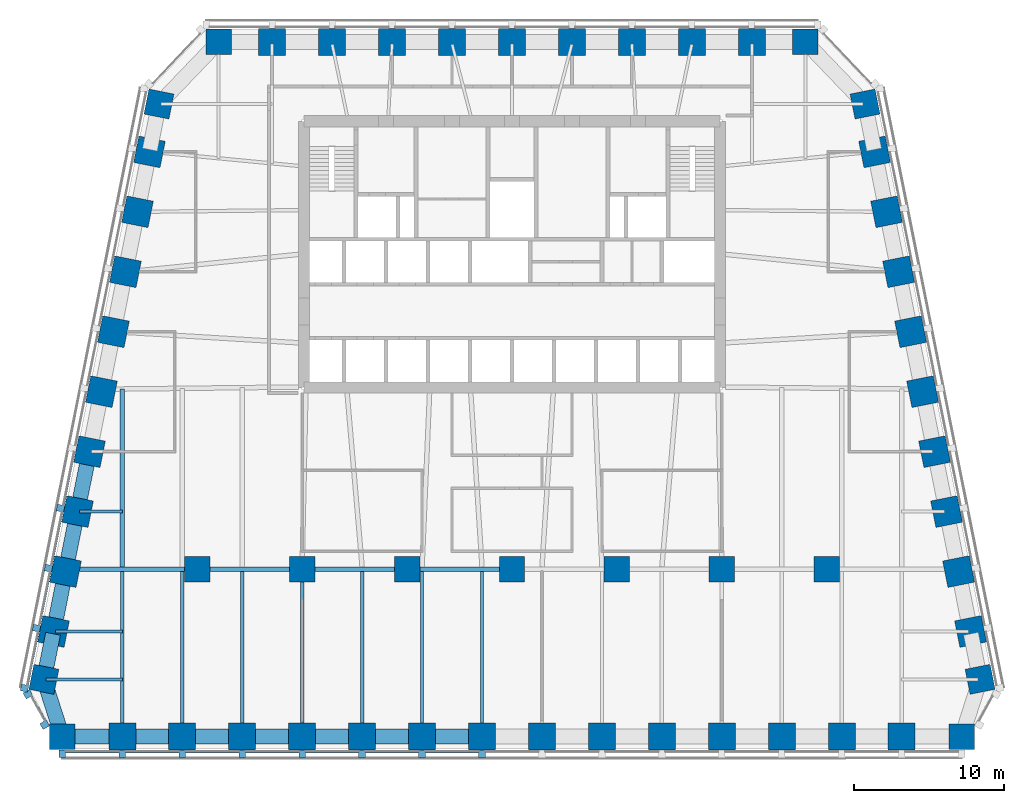
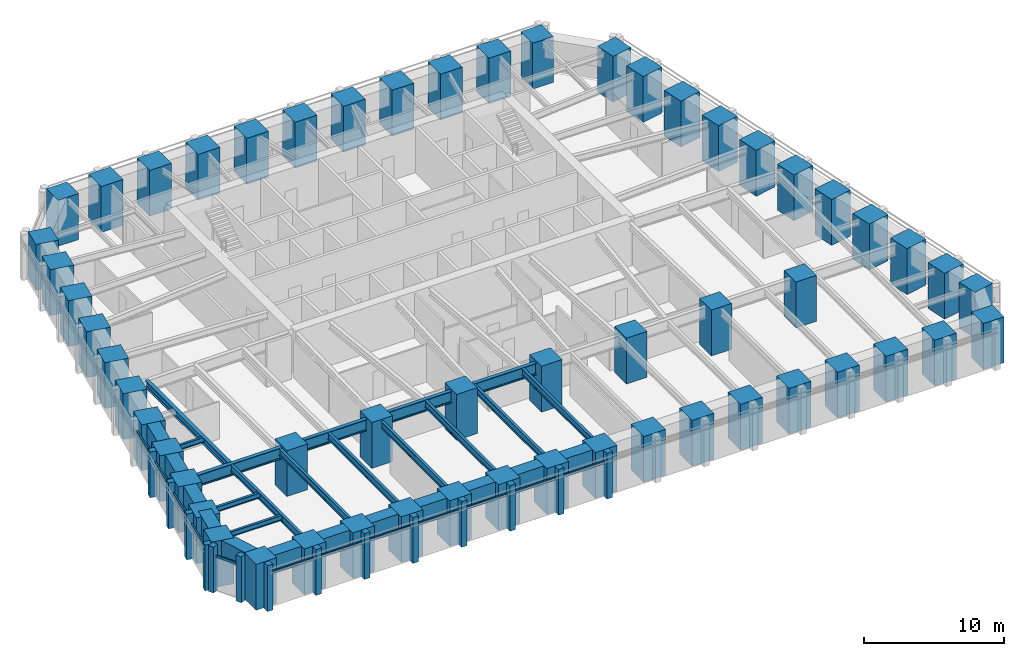
# One storey, part 1 of 10: 56 columns, 27 beams, 26 members, 3 elements without a shape of their own.
"""IFC4 building model written with IfcOpenShell, lengths in metres."""

from ifc_helpers import new_model, si_unit, direction, frame, origin, origin_2d, place, context, subcontext, project, spatial, rectangle, i_section, extrude, material, material_profile, profile_set, type_object, element, aggregate, save


model = new_model("IFC4")

# Units and contexts
model_context = context("Model", 3, precision=1e-05, world=origin(), true_north=direction((0.0, 1.0)))
body_context = subcontext(model_context, "Body", "Model", "MODEL_VIEW")
ifc_project = project(units=[si_unit("LENGTHUNIT", "METRE"), si_unit("AREAUNIT", "SQUARE_METRE"), si_unit("VOLUMEUNIT", "CUBIC_METRE"), si_unit("PLANEANGLEUNIT", "RADIAN"), si_unit("MASSUNIT", "GRAM", prefix="KILO")], contexts=[model_context])

# Site, building, storey
site_placement = place(None, origin())
site = spatial("IfcSite", under=ifc_project, at=site_placement, CompositionType="ELEMENT")
building_placement = place(site_placement, origin())
building = spatial("IfcBuilding", under=site, at=building_placement, Name="Isbrekke Arena Tower", CompositionType="ELEMENT")
storey_placement = place(building_placement, frame((0.0, 0.0, 139.0)))
storey = spatial("IfcBuildingStorey", under=building, at=storey_placement, Name="L31", CompositionType="ELEMENT", Elevation=139.0)

# Columns
ifc_material_1 = material(Name="Concrete B80 (C80/95)", Category="concrete")
ifc_material_profile_1 = material_profile(ifc_material_1, rectangle(XDim=1.699951171875, YDim=1.699951171875, at=origin_2d()), Name="RC 1700x1700")
ifc_profile_set_1 = profile_set([ifc_material_profile_1], Name="Concrete B80 (C80/95)")
column_type_1 = type_object("IfcColumnType", Name="C12 RC 1700 x 1700", PredefinedType="COLUMN", material=ifc_profile_set_1)
for number, where, z_axis, x_axis, name in (
    (1, (-21.0, -6.0, 0.0), (0.0, 0.0, 1.0), (1.0, 0.0, 0.0), "C12 I01"),
    (2, (-14.0, -6.0, 0.0), (0.0, 0.0, 1.0), (1.0, 0.0, 0.0), "C12 I02"),
    (3, (-7.0, -6.0, 0.0), (0.0, 0.0, 1.0), (1.0, 0.0, 0.0), "C12 I03"),
    (4, (0.0, -6.0, 0.0), (0.0, 0.0, 1.0), (1.0, 0.0, 0.0), "C12 I04"),
    (5, (7.0, -6.0, 0.0), (0.0, 0.0, 1.0), (1.0, 0.0, 0.0), "C12 I05"),
    (6, (14.0, -6.0, 0.0), (0.0, 0.0, 1.0), (1.0, 0.0, 0.0), "C12 I06"),
    (7, (21.0, -6.0, 0.0), (0.0, 0.0, 1.0), (1.0, 0.0, 0.0), "C12 I07"),
):
    element("IfcColumn", number, at=place(storey_placement, frame(where, z_axis=z_axis, x_axis=x_axis)), inside=storey, type_object=column_type_1, Name=name, PredefinedType="COLUMN", context=body_context, shape_type="SweptSolid", body=[
        extrude(rectangle(XDim=1.699951171875, YDim=1.699951171875, at=origin_2d()), origin(), (0.0, 0.0, 1.0), 4.0),
    ])
ifc_material_2 = material(Name="Concrete B80 (C80/95)", Category="concrete")
ifc_material_profile_2 = material_profile(ifc_material_2, rectangle(XDim=1.800048828125, YDim=1.800048828125, at=origin_2d()), Name="RC 1800x1800")
ifc_profile_set_2 = profile_set([ifc_material_profile_2], Name="Concrete B80 (C80/95)")
column_type_2 = type_object("IfcColumnType", Name="C3 RC 1800 x 1800", PredefinedType="COLUMN", material=ifc_profile_set_2)
for number, where, z_axis, x_axis, name in (
    (8, (-26.0, -17.175048828125, 0.0), (0.0, 0.0, 1.0), (1.0, 0.0, 0.0), "C3 S02"),
    (9, (-22.0, -17.175048828125, 0.0), (0.0, 0.0, 1.0), (1.0, 0.0, 0.0), "C3 S03"),
    (10, (-18.0, -17.175048828125, 0.0), (0.0, 0.0, 1.0), (1.0, 0.0, 0.0), "C3 S04"),
    (11, (-14.0, -17.175048828125, 0.0), (0.0, 0.0, 1.0), (1.0, 0.0, 0.0), "C3 S05"),
    (12, (-10.0, -17.175048828125, 0.0), (0.0, 0.0, 1.0), (1.0, 0.0, 0.0), "C3 S06"),
    (13, (-6.0, -17.175048828125, 0.0), (0.0, 0.0, 1.0), (1.0, 0.0, 0.0), "C3 S07"),
    (14, (-2.0, -17.175048828125, 0.0), (0.0, 0.0, 1.0), (1.0, 0.0, 0.0), "C3 S08"),
    (15, (2.0, -17.175048828125, 0.0), (0.0, 0.0, 1.0), (1.0, 0.0, 0.0), "C3 S09"),
    (16, (6.0, -17.175048828125, 0.0), (0.0, 0.0, 1.0), (1.0, 0.0, 0.0), "C3 S10"),
    (17, (10.0, -17.175048828125, 0.0), (0.0, 0.0, 1.0), (1.0, 0.0, 0.0), "C3 S11"),
    (18, (14.0, -17.175048828125, 0.0), (0.0, 0.0, 1.0), (1.0, 0.0, 0.0), "C3 S12"),
    (19, (18.0, -17.175048828125, 0.0), (0.0, 0.0, 1.0), (1.0, 0.0, 0.0), "C3 S13"),
    (20, (22.0, -17.175048828125, 0.0), (0.0, 0.0, 1.0), (1.0, 0.0, 0.0), "C3 S14"),
    (21, (26.0, -17.175048828125, 0.0), (0.0, 0.0, 1.0), (1.0, 0.0, 0.0), "C3 S15"),
    (22, (30.591064453125, -10.161865234375, 0.0), (0.0, 0.0, 1.0), (-0.196116135138, 0.980580675691, 0.0), "C3 E02"),
    (23, (29.791015625, -6.161865234375, 0.0), (0.0, 0.0, 1.0), (-0.196116135138, 0.980580675691, 0.0), "C3 E03"),
    (24, (28.990966796875, -2.161865234375, 0.0), (0.0, 0.0, 1.0), (-0.196116135138, 0.980580675691, 0.0), "C3 E04"),
    (25, (28.19091796875, 1.838134765625, 0.0), (0.0, 0.0, 1.0), (-0.196116135138, 0.980580675691, 0.0), "C3 E05"),
    (26, (27.39111328125, 5.838134765625, 0.0), (0.0, 0.0, 1.0), (-0.196116135138, 0.980580675691, 0.0), "C3 E06"),
    (27, (26.591064453125, 9.838134765625, 0.0), (0.0, 0.0, 1.0), (-0.196116135138, 0.980580675691, 0.0), "C3 E07"),
    (28, (25.791015625, 13.838134765625, 0.0), (0.0, 0.0, 1.0), (-0.196116135138, 0.980580675691, 0.0), "C3 E08"),
    (29, (24.990966796875, 17.838134765625, 0.0), (0.0, 0.0, 1.0), (-0.196116135138, 0.980580675691, 0.0), "C3 E09"),
    (30, (24.19091796875, 21.838134765625, 0.0), (0.0, 0.0, 1.0), (-0.196116135138, 0.980580675691, 0.0), "C3 E10"),
    (31, (16.0, 29.175048828125, 0.0), (0.0, 0.0, 1.0), (-1.0, 0.0, 0.0), "C3 N02"),
    (32, (12.0, 29.175048828125, 0.0), (0.0, 0.0, 1.0), (-1.0, 0.0, 0.0), "C3 N03"),
    (33, (8.0, 29.175048828125, 0.0), (0.0, 0.0, 1.0), (-1.0, 0.0, 0.0), "C3 N04"),
    (34, (4.0, 29.175048828125, 0.0), (0.0, 0.0, 1.0), (-1.0, 0.0, 0.0), "C3 N05"),
    (35, (0.0, 29.175048828125, 0.0), (0.0, 0.0, 1.0), (-1.0, 0.0, 0.0), "C3 N06"),
    (36, (-4.0, 29.175048828125, 0.0), (0.0, 0.0, 1.0), (-1.0, 0.0, 0.0), "C3 N07"),
    (37, (-8.0, 29.175048828125, 0.0), (0.0, 0.0, 1.0), (-1.0, 0.0, 0.0), "C3 N08"),
    (38, (-12.0, 29.175048828125, 0.0), (0.0, 0.0, 1.0), (-1.0, 0.0, 0.0), "C3 N09"),
    (39, (-16.0, 29.175048828125, 0.0), (0.0, 0.0, 1.0), (-1.0, 0.0, 0.0), "C3 N10"),
    (40, (-24.19091796875, 21.838134765625, 0.0), (0.0, 0.0, 1.0), (-0.196116135138, -0.980580675691, 0.0), "C3 W02"),
    (41, (-24.990966796875, 17.838134765625, 0.0), (0.0, 0.0, 1.0), (-0.196116135138, -0.980580675691, 0.0), "C3 W03"),
    (42, (-25.791015625, 13.838134765625, 0.0), (0.0, 0.0, 1.0), (-0.196116135138, -0.980580675691, 0.0), "C3 W04"),
    (43, (-26.591064453125, 9.838134765625, 0.0), (0.0, 0.0, 1.0), (-0.196116135138, -0.980580675691, 0.0), "C3 W05"),
    (44, (-27.39111328125, 5.838134765625, 0.0), (0.0, 0.0, 1.0), (-0.196116135138, -0.980580675691, 0.0), "C3 W06"),
    (45, (-28.19091796875, 1.838134765625, 0.0), (0.0, 0.0, 1.0), (-0.196116135138, -0.980580675691, 0.0), "C3 W07"),
    (46, (-28.990966796875, -2.161865234375, 0.0), (0.0, 0.0, 1.0), (-0.196116135138, -0.980580675691, 0.0), "C3 W08"),
    (47, (-29.791015625, -6.161865234375, 0.0), (0.0, 0.0, 1.0), (-0.196116135138, -0.980580675691, 0.0), "C3 W09"),
    (48, (-30.591064453125, -10.161865234375, 0.0), (0.0, 0.0, 1.0), (-0.196116135138, -0.980580675691, 0.0), "C3 W10"),
):
    element("IfcColumn", number, at=place(storey_placement, frame(where, z_axis=z_axis, x_axis=x_axis)), inside=storey, type_object=column_type_2, Name=name, PredefinedType="COLUMN", context=body_context, shape_type="SweptSolid", body=[
        extrude(rectangle(XDim=1.800048828125, YDim=1.800048828125, at=origin_2d()), origin(), (0.0, 0.0, 1.0), 4.0),
    ])
ifc_material_3 = material(Name="Concrete B80 (C80/95)", Category="concrete")
ifc_material_profile_3 = material_profile(ifc_material_3, rectangle(XDim=1.699951171875, YDim=1.699951171875, at=origin_2d()), Name="RC 1700x1700")
ifc_profile_set_3 = profile_set([ifc_material_profile_3], Name="Concrete B80 (C80/95)")
column_type_3 = type_object("IfcColumnType", Name="C7 RC 1700 x 1700", PredefinedType="COLUMN", material=ifc_profile_set_3)
for number, where, z_axis, x_axis, name in (
    (49, (-30.0, -17.175048828125, 0.0), (0.0, 0.0, 1.0), (1.0, 0.0, 0.0), "C7 S01"),
    (50, (30.0, -17.175048828125, 0.0), (0.0, 0.0, 1.0), (1.0, 0.0, 0.0), "C7 S16"),
    (51, (31.229248046875, -13.352783203125, 0.0), (0.0, 0.0, 1.0), (-0.196116135138, 0.980580675691, 0.0), "C7 E01"),
    (52, (23.552734375, 25.029296875, 0.0), (0.0, 0.0, 1.0), (-0.196116135138, 0.980580675691, 0.0), "C7 E11"),
    (53, (19.574951171875, 29.175048828125, 0.0), (0.0, 0.0, 1.0), (-1.0, 0.0, 0.0), "C7 N01"),
    (54, (-19.574951171875, 29.175048828125, 0.0), (0.0, 0.0, 1.0), (-1.0, 0.0, 0.0), "C7 N11"),
    (55, (-23.552734375, 25.029296875, 0.0), (0.0, 0.0, 1.0), (-0.196116135138, -0.980580675691, 0.0), "C7 W01"),
    (56, (-31.229248046875, -13.352783203125, 0.0), (0.0, 0.0, 1.0), (-0.196116135138, -0.980580675691, 0.0), "C7 W11"),
):
    element("IfcColumn", number, at=place(storey_placement, frame(where, z_axis=z_axis, x_axis=x_axis)), inside=storey, type_object=column_type_3, Name=name, PredefinedType="COLUMN", context=body_context, shape_type="SweptSolid", body=[
        extrude(rectangle(XDim=1.699951171875, YDim=1.699951171875, at=origin_2d()), origin(), (0.0, 0.0, 1.0), 4.0),
    ])

# Beams
ifc_material_4 = material(Name="Steel S355", Category="steel")
ifc_material_profile_4 = material_profile(ifc_material_4, i_section(OverallWidth=0.219970703125, OverallDepth=0.60009765625, WebThickness=0.011962890625, FlangeThickness=0.01904296875, FilletRadius=0.02392578125, at=origin_2d()), Name="IPE 600")
ifc_profile_set_4 = profile_set([ifc_material_profile_4], Name="Steel S355")
beam_type_1 = type_object("IfcBeamType", Name="B1 IPE 600", PredefinedType="BEAM", material=ifc_profile_set_4)
for number, where, z_axis, x_axis, name in (
    (57, (-26.0, -17.02490234375, 3.550048828125), (0.0, 1.0, 0.0), (-1.0, 0.0, 0.0), "B1 beam S-S02 L31"),
    (58, (-22.0, -17.02490234375, 3.550048828125), (0.0, 1.0, 0.0), (-1.0, 0.0, 0.0), "B1 beam S-S03 L31"),
    (59, (-18.0, -17.02490234375, 3.550048828125), (0.0, 1.0, 0.0), (-1.0, 0.0, 0.0), "B1 beam S-S04 L31"),
):
    element("IfcBeam", number, at=place(storey_placement, frame(where, z_axis=z_axis, x_axis=x_axis)), inside=storey, type_object=beam_type_1, Name=name, PredefinedType="BEAM", context=body_context, shape_type="SweptSolid", body=[
        extrude(i_section(OverallWidth=0.219970703125, OverallDepth=0.60009765625, WebThickness=0.011962890625, FlangeThickness=0.01904296875, FilletRadius=0.02392578125, at=origin_2d()), origin(), (0.0, 0.0, 1.0), 10.8740234375),
    ])
beam_1_placement = place(storey_placement, frame((-14.0, -17.02490234375, 3.550048828125), z_axis=(0.0, 1.0, 0.0), x_axis=(-1.0, 0.0, 0.0)))
element("IfcBeam", 60, at=beam_1_placement, inside=storey, type_object=beam_type_1, Name="B1 beam S-S05 L31", PredefinedType="BEAM", context=body_context, shape_type="SweptSolid", body=[
    extrude(i_section(OverallWidth=0.219970703125, OverallDepth=0.60009765625, WebThickness=0.011962890625, FlangeThickness=0.01904296875, FilletRadius=0.02392578125, at=origin_2d()), origin(), (0.0, 0.0, 1.0), 10.875),
])
for number, where, z_axis, x_axis, name in (
    (61, (-10.0, -17.02490234375, 3.550048828125), (0.0, 1.0, 0.0), (-1.0, 0.0, 0.0), "B1 beam S-S06 L31"),
    (62, (-6.0, -17.02490234375, 3.550048828125), (0.0, 1.0, 0.0), (-1.0, 0.0, 0.0), "B1 beam S-S07 L31"),
    (63, (-2.0, -17.02490234375, 3.550048828125), (0.0, 1.0, 0.0), (-1.0, 0.0, 0.0), "B1 beam S-S08 L31"),
):
    element("IfcBeam", number, at=place(storey_placement, frame(where, z_axis=z_axis, x_axis=x_axis)), inside=storey, type_object=beam_type_1, Name=name, PredefinedType="BEAM", context=body_context, shape_type="SweptSolid", body=[
        extrude(i_section(OverallWidth=0.219970703125, OverallDepth=0.60009765625, WebThickness=0.011962890625, FlangeThickness=0.01904296875, FilletRadius=0.02392578125, at=origin_2d()), origin(), (0.0, 0.0, 1.0), 10.8740234375),
    ])
ifc_material_5 = material(Name="Steel S355", Category="steel")
ifc_material_profile_5 = material_profile(ifc_material_5, i_section(OverallWidth=0.18994140625, OverallDepth=0.449951171875, WebThickness=0.009521484375, FlangeThickness=0.0146484375, FilletRadius=0.02099609375, at=origin_2d()), Name="IPE 450")
ifc_profile_set_5 = profile_set([ifc_material_profile_5], Name="Steel S355")
beam_type_2 = type_object("IfcBeamType", Name="B2 IPE 450", PredefinedType="BEAM", material=ifc_profile_set_5)
beam_2_placement = place(storey_placement, frame((-28.841064453125, -2.161865234375, 3.625), z_axis=(1.0, 0.0, 0.0), x_axis=(0.0, 1.0, 0.0)))
element("IfcBeam", 64, at=beam_2_placement, inside=storey, type_object=beam_type_2, Name="B2 beam E-W08 L31", PredefinedType="BEAM", context=body_context, shape_type="SweptSolid", body=[
    extrude(i_section(OverallWidth=0.18994140625, OverallDepth=0.449951171875, WebThickness=0.009521484375, FlangeThickness=0.0146484375, FilletRadius=0.02099609375, at=origin_2d()), origin(), (0.0, 0.0, 1.0), 2.841064453125),
])
beam_3_placement = place(storey_placement, frame((-30.44091796875, -10.161865234375, 3.625), z_axis=(1.0, 0.0, 0.0), x_axis=(0.0, 1.0, 0.0)))
element("IfcBeam", 65, at=beam_3_placement, inside=storey, type_object=beam_type_2, Name="B2 beam E-W10 L31", PredefinedType="BEAM", context=body_context, shape_type="SweptSolid", body=[
    extrude(i_section(OverallWidth=0.18994140625, OverallDepth=0.449951171875, WebThickness=0.009521484375, FlangeThickness=0.0146484375, FilletRadius=0.02099609375, at=origin_2d()), origin(), (0.0, 0.0, 1.0), 4.44091796875),
])
beam_4_placement = place(storey_placement, frame((-31.079345703125, -13.352783203125, 3.625), z_axis=(1.0, 0.0, 0.0), x_axis=(0.0, 1.0, 0.0)))
element("IfcBeam", 66, at=beam_4_placement, inside=storey, type_object=beam_type_2, Name="B2 beam E-W11 L31", PredefinedType="BEAM", context=body_context, shape_type="SweptSolid", body=[
    extrude(i_section(OverallWidth=0.18994140625, OverallDepth=0.449951171875, WebThickness=0.009521484375, FlangeThickness=0.0146484375, FilletRadius=0.02099609375, at=origin_2d()), origin(), (0.0, 0.0, 1.0), 5.079345703125),
])
ifc_material_6 = material(Name="Steel S355", Category="steel")
ifc_material_profile_6 = material_profile(ifc_material_6, i_section(OverallWidth=0.300048828125, OverallDepth=0.60009765625, WebThickness=0.015380859375, FlangeThickness=0.030029296875, FilletRadius=0.027099609375, at=origin_2d()), Name="HEB 600")
ifc_profile_set_6 = profile_set([ifc_material_profile_6], Name="Steel S355")
beam_type_3 = type_object("IfcBeamType", Name="B7 HEB 600", PredefinedType="BEAM", material=ifc_profile_set_6)
beam_5_placement = place(storey_placement, frame((-26.0, -5.84912109375, 3.550048828125), z_axis=(0.0, 1.0, 0.0), x_axis=(-1.0, 0.0, 0.0)))
element("IfcBeam", 67, at=beam_5_placement, inside=storey, type_object=beam_type_3, Name="B7 beam C-M01 L31", PredefinedType="BEAM", context=body_context, shape_type="SweptSolid", body=[
    extrude(i_section(OverallWidth=0.300048828125, OverallDepth=0.60009765625, WebThickness=0.015380859375, FlangeThickness=0.030029296875, FilletRadius=0.027099609375, at=origin_2d()), origin(), (0.0, 0.0, 1.0), 11.864990234375),
])

# Curtain wall, members
ifc_material_7 = material(Name="Glazed aluminium curtain wall", Category="aluminium")
curtain_wall_type = type_object("IfcCurtainWallType", Name="CWM TOWER CURTAIN WALL MID ZONE", PredefinedType="USERDEFINED", material=ifc_material_7)
curtain_wall_1_placement = place(storey_placement, origin())
curtain_wall_1 = element("IfcCurtainWall", 68, at=curtain_wall_1_placement, inside=storey, type_object=curtain_wall_type, Name="CWM curtain wall L31-S", ObjectType="TOWER CURTAIN WALL MID ZONE", PredefinedType="USERDEFINED")
ifc_material_8 = material(Name="Aluminium mullion, pale brick slip cladding", Category="masonry")
ifc_material_profile_7 = material_profile(ifc_material_8, rectangle(XDim=0.449951171875, YDim=0.5, at=origin_2d()), Name="PIER 450X500")
ifc_profile_set_7 = profile_set([ifc_material_profile_7], Name="Aluminium mullion, pale brick slip cladding")
member_type_1 = type_object("IfcMemberType", Name="CWM-M PIER MULLION 450 x 500", PredefinedType="MULLION", material=ifc_profile_set_7)
member_1_placement = place(storey_placement, frame((-30.0, -18.324951171875, 0.0), z_axis=(0.0, 0.0, 1.0), x_axis=(1.0, 0.0, 0.0)))
member_1 = element("IfcMember", 69, at=member_1_placement, type_object=member_type_1, Name="CWM-M mullion 1", PredefinedType="MULLION", context=body_context, shape_type="SweptSolid", body=[
    extrude(rectangle(XDim=0.449951171875, YDim=0.5, at=origin_2d()), origin(), (0.0, 0.0, 1.0), 4.0),
])
member_2_placement = place(storey_placement, frame((-26.0, -18.324951171875, 0.0), z_axis=(0.0, 0.0, 1.0), x_axis=(1.0, 0.0, 0.0)))
member_2 = element("IfcMember", 70, at=member_2_placement, type_object=member_type_1, Name="CWM-M mullion 2", PredefinedType="MULLION", context=body_context, shape_type="SweptSolid", body=[
    extrude(rectangle(XDim=0.449951171875, YDim=0.5, at=origin_2d()), origin(), (0.0, 0.0, 1.0), 4.0),
])
member_3_placement = place(storey_placement, frame((-22.0, -18.324951171875, 0.0), z_axis=(0.0, 0.0, 1.0), x_axis=(1.0, 0.0, 0.0)))
member_3 = element("IfcMember", 71, at=member_3_placement, type_object=member_type_1, Name="CWM-M mullion 3", PredefinedType="MULLION", context=body_context, shape_type="SweptSolid", body=[
    extrude(rectangle(XDim=0.449951171875, YDim=0.5, at=origin_2d()), origin(), (0.0, 0.0, 1.0), 4.0),
])
member_4_placement = place(storey_placement, frame((-18.0, -18.324951171875, 0.0), z_axis=(0.0, 0.0, 1.0), x_axis=(1.0, 0.0, 0.0)))
member_4 = element("IfcMember", 72, at=member_4_placement, type_object=member_type_1, Name="CWM-M mullion 4", PredefinedType="MULLION", context=body_context, shape_type="SweptSolid", body=[
    extrude(rectangle(XDim=0.449951171875, YDim=0.5, at=origin_2d()), origin(), (0.0, 0.0, 1.0), 4.0),
])
member_5_placement = place(storey_placement, frame((-14.0, -18.324951171875, 0.0), z_axis=(0.0, 0.0, 1.0), x_axis=(1.0, 0.0, 0.0)))
member_5 = element("IfcMember", 73, at=member_5_placement, type_object=member_type_1, Name="CWM-M mullion 5", PredefinedType="MULLION", context=body_context, shape_type="SweptSolid", body=[
    extrude(rectangle(XDim=0.449951171875, YDim=0.5, at=origin_2d()), origin(), (0.0, 0.0, 1.0), 4.0),
])
member_6_placement = place(storey_placement, frame((-10.0, -18.324951171875, 0.0), z_axis=(0.0, 0.0, 1.0), x_axis=(1.0, 0.0, 0.0)))
member_6 = element("IfcMember", 74, at=member_6_placement, type_object=member_type_1, Name="CWM-M mullion 6", PredefinedType="MULLION", context=body_context, shape_type="SweptSolid", body=[
    extrude(rectangle(XDim=0.449951171875, YDim=0.5, at=origin_2d()), origin(), (0.0, 0.0, 1.0), 4.0),
])
member_7_placement = place(storey_placement, frame((-6.0, -18.324951171875, 0.0), z_axis=(0.0, 0.0, 1.0), x_axis=(1.0, 0.0, 0.0)))
member_7 = element("IfcMember", 75, at=member_7_placement, type_object=member_type_1, Name="CWM-M mullion 7", PredefinedType="MULLION", context=body_context, shape_type="SweptSolid", body=[
    extrude(rectangle(XDim=0.449951171875, YDim=0.5, at=origin_2d()), origin(), (0.0, 0.0, 1.0), 4.0),
])
member_8_placement = place(storey_placement, frame((-2.0, -18.324951171875, 0.0), z_axis=(0.0, 0.0, 1.0), x_axis=(1.0, 0.0, 0.0)))
member_8 = element("IfcMember", 76, at=member_8_placement, type_object=member_type_1, Name="CWM-M mullion 8", PredefinedType="MULLION", context=body_context, shape_type="SweptSolid", body=[
    extrude(rectangle(XDim=0.449951171875, YDim=0.5, at=origin_2d()), origin(), (0.0, 0.0, 1.0), 4.0),
])

curtain_wall_2_placement = place(storey_placement, origin())
curtain_wall_2 = element("IfcCurtainWall", 77, at=curtain_wall_2_placement, inside=storey, type_object=curtain_wall_type, Name="CWM curtain wall L31-W", ObjectType="TOWER CURTAIN WALL MID ZONE", PredefinedType="USERDEFINED")
member_9_placement = place(storey_placement, frame((-30.11865234375, -1.936279296875, 0.0), z_axis=(0.0, 0.0, 1.0), x_axis=(-0.196116135138, -0.980580675691, 0.0)))
member_9 = element("IfcMember", 78, at=member_9_placement, type_object=member_type_1, Name="CWM-M mullion 8", PredefinedType="MULLION", context=body_context, shape_type="SweptSolid", body=[
    extrude(rectangle(XDim=0.449951171875, YDim=0.5, at=origin_2d()), origin(), (0.0, 0.0, 1.0), 4.0),
])
member_10_placement = place(storey_placement, frame((-30.918701171875, -5.936279296875, 0.0), z_axis=(0.0, 0.0, 1.0), x_axis=(-0.196116135138, -0.980580675691, 0.0)))
member_10 = element("IfcMember", 79, at=member_10_placement, type_object=member_type_1, Name="CWM-M mullion 9", PredefinedType="MULLION", context=body_context, shape_type="SweptSolid", body=[
    extrude(rectangle(XDim=0.449951171875, YDim=0.5, at=origin_2d()), origin(), (0.0, 0.0, 1.0), 4.0),
])
member_11_placement = place(storey_placement, frame((-31.71875, -9.936279296875, 0.0), z_axis=(0.0, 0.0, 1.0), x_axis=(-0.196116135138, -0.980580675691, 0.0)))
member_11 = element("IfcMember", 80, at=member_11_placement, type_object=member_type_1, Name="CWM-M mullion 10", PredefinedType="MULLION", context=body_context, shape_type="SweptSolid", body=[
    extrude(rectangle(XDim=0.449951171875, YDim=0.5, at=origin_2d()), origin(), (0.0, 0.0, 1.0), 4.0),
])
member_12_placement = place(storey_placement, frame((-32.518798828125, -13.936279296875, 0.0), z_axis=(0.0, 0.0, 1.0), x_axis=(-0.196116135138, -0.980580675691, 0.0)))
member_12 = element("IfcMember", 81, at=member_12_placement, type_object=member_type_1, Name="CWM-M mullion 11", PredefinedType="MULLION", context=body_context, shape_type="SweptSolid", body=[
    extrude(rectangle(XDim=0.449951171875, YDim=0.5, at=origin_2d()), origin(), (0.0, 0.0, 1.0), 4.0),
])

curtain_wall_3_placement = place(storey_placement, origin())
curtain_wall_3 = element("IfcCurtainWall", 82, at=curtain_wall_3_placement, inside=storey, type_object=curtain_wall_type, Name="CWM curtain wall L31-WS", ObjectType="TOWER CURTAIN WALL MID ZONE", PredefinedType="USERDEFINED")
member_13_placement = place(storey_placement, frame((-32.29638671875, -14.34326171875, 0.0), z_axis=(0.0, 0.0, 1.0), x_axis=(0.481918749773, -0.876215908676, 0.0)))
member_13 = element("IfcMember", 83, at=member_13_placement, type_object=member_type_1, Name="CWM-M mullion 1", PredefinedType="MULLION", context=body_context, shape_type="SweptSolid", body=[
    extrude(rectangle(XDim=0.449951171875, YDim=0.5, at=origin_2d()), origin(), (0.0, 0.0, 1.0), 4.0),
])
member_14_placement = place(storey_placement, frame((-31.174560546875, -16.38330078125, 0.0), z_axis=(0.0, 0.0, 1.0), x_axis=(0.481918749773, -0.876215908676, 0.0)))
member_14 = element("IfcMember", 84, at=member_14_placement, type_object=member_type_1, Name="CWM-M mullion 2", PredefinedType="MULLION", context=body_context, shape_type="SweptSolid", body=[
    extrude(rectangle(XDim=0.449951171875, YDim=0.5, at=origin_2d()), origin(), (0.0, 0.0, 1.0), 4.0),
])

# Member
ifc_material_9 = material(Name="Aluminium transom", Category="aluminium")
ifc_material_profile_8 = material_profile(ifc_material_9, rectangle(XDim=0.1201171875, YDim=0.199951171875, at=origin_2d()), Name="TRANSOM 120X200")
ifc_profile_set_8 = profile_set([ifc_material_profile_8], Name="Aluminium transom")
member_type_2 = type_object("IfcMemberType", Name="CWM-T TRANSOM 120 x 200", PredefinedType="USERDEFINED", material=ifc_profile_set_8)
member_15_placement = place(storey_placement, frame((-29.77490234375, -18.175048828125, 3.0), z_axis=(1.0, 0.0, 0.0), x_axis=(0.0, 1.0, 0.0)))
member_15 = element("IfcMember", 85, at=member_15_placement, type_object=member_type_2, Name="CWM-T transom 1", ObjectType="TRANSOM", PredefinedType="USERDEFINED", context=body_context, shape_type="SweptSolid", body=[
    extrude(rectangle(XDim=0.1201171875, YDim=0.199951171875, at=origin_2d()), origin(), (0.0, 0.0, 1.0), 3.5498046875),
])

member_16_placement = place(storey_placement, frame((-25.77490234375, -18.175048828125, 3.0), z_axis=(1.0, 0.0, 0.0), x_axis=(0.0, 1.0, 0.0)))
member_16 = element("IfcMember", 86, at=member_16_placement, type_object=member_type_2, Name="CWM-T transom 2", ObjectType="TRANSOM", PredefinedType="USERDEFINED", context=body_context, shape_type="SweptSolid", body=[
    extrude(rectangle(XDim=0.1201171875, YDim=0.199951171875, at=origin_2d()), origin(), (0.0, 0.0, 1.0), 3.5498046875),
])

member_17_placement = place(storey_placement, frame((-21.77490234375, -18.175048828125, 3.0), z_axis=(1.0, 0.0, 0.0), x_axis=(0.0, 1.0, 0.0)))
member_17 = element("IfcMember", 87, at=member_17_placement, type_object=member_type_2, Name="CWM-T transom 3", ObjectType="TRANSOM", PredefinedType="USERDEFINED", context=body_context, shape_type="SweptSolid", body=[
    extrude(rectangle(XDim=0.1201171875, YDim=0.199951171875, at=origin_2d()), origin(), (0.0, 0.0, 1.0), 3.5498046875),
])

member_18_placement = place(storey_placement, frame((-17.77490234375, -18.175048828125, 3.0), z_axis=(1.0, 0.0, 0.0), x_axis=(0.0, 1.0, 0.0)))
member_18 = element("IfcMember", 88, at=member_18_placement, type_object=member_type_2, Name="CWM-T transom 4", ObjectType="TRANSOM", PredefinedType="USERDEFINED", context=body_context, shape_type="SweptSolid", body=[
    extrude(rectangle(XDim=0.1201171875, YDim=0.199951171875, at=origin_2d()), origin(), (0.0, 0.0, 1.0), 3.5498046875),
])

member_19_placement = place(storey_placement, frame((-13.77490234375, -18.175048828125, 3.0), z_axis=(1.0, 0.0, 0.0), x_axis=(0.0, 1.0, 0.0)))
member_19 = element("IfcMember", 89, at=member_19_placement, type_object=member_type_2, Name="CWM-T transom 5", ObjectType="TRANSOM", PredefinedType="USERDEFINED", context=body_context, shape_type="SweptSolid", body=[
    extrude(rectangle(XDim=0.1201171875, YDim=0.199951171875, at=origin_2d()), origin(), (0.0, 0.0, 1.0), 3.5498046875),
])

member_20_placement = place(storey_placement, frame((-9.77490234375, -18.175048828125, 3.0), z_axis=(1.0, 0.0, 0.0), x_axis=(0.0, 1.0, 0.0)))
member_20 = element("IfcMember", 90, at=member_20_placement, type_object=member_type_2, Name="CWM-T transom 6", ObjectType="TRANSOM", PredefinedType="USERDEFINED", context=body_context, shape_type="SweptSolid", body=[
    extrude(rectangle(XDim=0.1201171875, YDim=0.199951171875, at=origin_2d()), origin(), (0.0, 0.0, 1.0), 3.5498046875),
])

member_21_placement = place(storey_placement, frame((-5.77490234375, -18.175048828125, 3.0), z_axis=(1.0, 0.0, 0.0), x_axis=(0.0, 1.0, 0.0)))
member_21 = element("IfcMember", 91, at=member_21_placement, type_object=member_type_2, Name="CWM-T transom 7", ObjectType="TRANSOM", PredefinedType="USERDEFINED", context=body_context, shape_type="SweptSolid", body=[
    extrude(rectangle(XDim=0.1201171875, YDim=0.199951171875, at=origin_2d()), origin(), (0.0, 0.0, 1.0), 3.5498046875),
])

aggregate(curtain_wall_1, [member_1, member_2, member_3, member_4, member_5, member_6, member_7, member_8, member_15, member_16, member_17, member_18, member_19, member_20, member_21])

member_22_placement = place(storey_placement, frame((-29.2158203125, 1.813720703125, 3.0), z_axis=(-0.196090262229, -0.980585849918, 0.0), x_axis=(0.980585849918, -0.196090262229, 0.0)))
member_22 = element("IfcMember", 92, at=member_22_placement, type_object=member_type_2, Name="CWM-T transom 7", ObjectType="TRANSOM", PredefinedType="USERDEFINED", context=body_context, shape_type="SweptSolid", body=[
    extrude(rectangle(XDim=0.1201171875, YDim=0.199951171875, at=origin_2d()), origin(), (0.0, 0.0, 1.0), 3.62939453125),
])

member_23_placement = place(storey_placement, frame((-30.015625, -2.186279296875, 3.0), z_axis=(-0.196154943734, -0.980572913173, 0.0), x_axis=(0.980572913173, -0.196154943734, 0.0)))
member_23 = element("IfcMember", 93, at=member_23_placement, type_object=member_type_2, Name="CWM-T transom 8", ObjectType="TRANSOM", PredefinedType="USERDEFINED", context=body_context, shape_type="SweptSolid", body=[
    extrude(rectangle(XDim=0.1201171875, YDim=0.199951171875, at=origin_2d()), origin(), (0.0, 0.0, 1.0), 3.62939453125),
])

member_24_placement = place(storey_placement, frame((-30.815673828125, -6.186279296875, 3.0), z_axis=(-0.196154943734, -0.980572913173, 0.0), x_axis=(0.980572913173, -0.196154943734, 0.0)))
member_24 = element("IfcMember", 94, at=member_24_placement, type_object=member_type_2, Name="CWM-T transom 9", ObjectType="TRANSOM", PredefinedType="USERDEFINED", context=body_context, shape_type="SweptSolid", body=[
    extrude(rectangle(XDim=0.1201171875, YDim=0.199951171875, at=origin_2d()), origin(), (0.0, 0.0, 1.0), 3.62939453125),
])

member_25_placement = place(storey_placement, frame((-31.61572265625, -10.186279296875, 3.0), z_axis=(-0.196090262229, -0.980585849918, 0.0), x_axis=(0.980585849918, -0.196090262229, 0.0)))
member_25 = element("IfcMember", 95, at=member_25_placement, type_object=member_type_2, Name="CWM-T transom 10", ObjectType="TRANSOM", PredefinedType="USERDEFINED", context=body_context, shape_type="SweptSolid", body=[
    extrude(rectangle(XDim=0.1201171875, YDim=0.199951171875, at=origin_2d()), origin(), (0.0, 0.0, 1.0), 3.62939453125),
])

aggregate(curtain_wall_2, [member_9, member_10, member_11, member_12, member_22, member_23, member_24, member_25])

member_26_placement = place(storey_placement, frame((-32.056640625, -14.46826171875, 3.0), z_axis=(0.481918749772, -0.876215908677, 0.0), x_axis=(0.876215908677, 0.481918749772, 0.0)))
member_26 = element("IfcMember", 96, at=member_26_placement, type_object=member_type_2, Name="CWM-T transom 1", ObjectType="TRANSOM", PredefinedType="USERDEFINED", context=body_context, shape_type="SweptSolid", body=[
    extrude(rectangle(XDim=0.1201171875, YDim=0.199951171875, at=origin_2d()), origin(), (0.0, 0.0, 1.0), 1.8779296875),
])

aggregate(curtain_wall_3, [member_13, member_14, member_26])

# Beams
ifc_material_10 = material(Name="Steel S355", Category="steel")
ifc_material_profile_9 = material_profile(ifc_material_10, i_section(OverallWidth=0.302001953125, OverallDepth=1.008056640625, WebThickness=0.02099609375, FlangeThickness=0.0400390625, FilletRadius=0.030029296875, at=origin_2d()), Name="HEM 1000")
ifc_profile_set_9 = profile_set([ifc_material_profile_9], Name="Steel S355")
beam_type_4 = type_object("IfcBeamType", Name="G1 HEM 1000", PredefinedType="BEAM", material=ifc_profile_set_9)
beam_6_placement = place(storey_placement, frame((-29.791015625, -6.0, 3.345947265625), z_axis=(1.0, 0.0, 0.0), x_axis=(0.0, 1.0, 0.0)))
element("IfcBeam", 97, at=beam_6_placement, inside=storey, type_object=beam_type_4, Name="G1 beam G1-01 L31", PredefinedType="BEAM", context=body_context, shape_type="SweptSolid", body=[
    extrude(i_section(OverallWidth=0.302001953125, OverallDepth=1.008056640625, WebThickness=0.02099609375, FlangeThickness=0.0400390625, FilletRadius=0.030029296875, at=origin_2d()), origin(), (0.0, 0.0, 1.0), 8.64111328125),
])
for number, where, z_axis, x_axis, name in (
    (98, (-20.85009765625, -6.0, 3.345947265625), (1.0, 0.0, 0.0), (0.0, 1.0, 0.0), "G1 beam G1-02 L31"),
    (99, (-13.85009765625, -6.0, 3.345947265625), (1.0, 0.0, 0.0), (0.0, 1.0, 0.0), "G1 beam G1-03 L31"),
    (100, (-6.85009765625, -6.0, 3.345947265625), (1.0, 0.0, 0.0), (0.0, 1.0, 0.0), "G1 beam G1-04 L31"),
):
    element("IfcBeam", number, at=place(storey_placement, frame(where, z_axis=z_axis, x_axis=x_axis)), inside=storey, type_object=beam_type_4, Name=name, PredefinedType="BEAM", context=body_context, shape_type="SweptSolid", body=[
        extrude(i_section(OverallWidth=0.302001953125, OverallDepth=1.008056640625, WebThickness=0.02099609375, FlangeThickness=0.0400390625, FilletRadius=0.030029296875, at=origin_2d()), origin(), (0.0, 0.0, 1.0), 6.7001953125),
    ])
ifc_material_11 = material(Name="Concrete B80 (C80/95)", Category="concrete")
ifc_material_profile_10 = material_profile(ifc_material_11, rectangle(XDim=1.0, YDim=1.60009765625, at=origin_2d()), Name="RC 1000x1600")
ifc_profile_set_10 = profile_set([ifc_material_profile_10], Name="Concrete B80 (C80/95)")
beam_type_5 = type_object("IfcBeamType", Name="SB2 RC 1000 x 1600", PredefinedType="SPANDREL", material=ifc_profile_set_10)
for number, where, z_axis, x_axis, name in (
    (101, (-29.85009765625, -17.175048828125, 3.199951171875), (1.0, 0.0, 0.0), (0.0, 1.0, 0.0), "SB2 spandrel S01-S02 L31"),
    (102, (-25.85009765625, -17.175048828125, 3.199951171875), (1.0, 0.0, 0.0), (0.0, 1.0, 0.0), "SB2 spandrel S02-S03 L31"),
    (103, (-21.85009765625, -17.175048828125, 3.199951171875), (1.0, 0.0, 0.0), (0.0, 1.0, 0.0), "SB2 spandrel S03-S04 L31"),
    (104, (-17.85009765625, -17.175048828125, 3.199951171875), (1.0, 0.0, 0.0), (0.0, 1.0, 0.0), "SB2 spandrel S04-S05 L31"),
    (105, (-13.85009765625, -17.175048828125, 3.199951171875), (1.0, 0.0, 0.0), (0.0, 1.0, 0.0), "SB2 spandrel S05-S06 L31"),
    (106, (-9.85009765625, -17.175048828125, 3.199951171875), (1.0, 0.0, 0.0), (0.0, 1.0, 0.0), "SB2 spandrel S06-S07 L31"),
    (107, (-5.85009765625, -17.175048828125, 3.199951171875), (1.0, 0.0, 0.0), (0.0, 1.0, 0.0), "SB2 spandrel S07-S08 L31"),
):
    element("IfcBeam", number, at=place(storey_placement, frame(where, z_axis=z_axis, x_axis=x_axis)), inside=storey, type_object=beam_type_5, Name=name, PredefinedType="SPANDREL", context=body_context, shape_type="SweptSolid", body=[
        extrude(rectangle(XDim=1.0, YDim=1.60009765625, at=origin_2d()), origin(), (0.0, 0.0, 1.0), 3.7001953125),
    ])
for number, where, z_axis, x_axis, name in (
    (108, (-28.220458984375, 1.691162109375, 3.199951171875), (-0.196128558387, -0.980578190959, 0.0), (0.980578190959, -0.196128558387, 0.0), "SB2 spandrel W07-W08 L31"),
    (109, (-29.0205078125, -2.308837890625, 3.199951171875), (-0.196128558387, -0.980578190959, 0.0), (0.980578190959, -0.196128558387, 0.0), "SB2 spandrel W08-W09 L31"),
):
    element("IfcBeam", number, at=place(storey_placement, frame(where, z_axis=z_axis, x_axis=x_axis)), inside=storey, type_object=beam_type_5, Name=name, PredefinedType="SPANDREL", context=body_context, shape_type="SweptSolid", body=[
        extrude(rectangle(XDim=1.0, YDim=1.60009765625, at=origin_2d()), origin(), (0.0, 0.0, 1.0), 3.779296875),
    ])
beam_7_placement = place(storey_placement, frame((-29.820556640625, -6.308837890625, 3.199951171875), z_axis=(-0.1960664412, -0.980590613169, 0.0), x_axis=(0.980590613169, -0.1960664412, 0.0)))
element("IfcBeam", 110, at=beam_7_placement, inside=storey, type_object=beam_type_5, Name="SB2 spandrel W09-W10 L31", PredefinedType="SPANDREL", context=body_context, shape_type="SweptSolid", body=[
    extrude(rectangle(XDim=1.0, YDim=1.60009765625, at=origin_2d()), origin(), (0.0, 0.0, 1.0), 3.779052734375),
])
beam_8_placement = place(storey_placement, frame((-30.620361328125, -10.308837890625, 3.199951171875), z_axis=(-0.196100243168, -0.980583853951, 0.0), x_axis=(0.980583853951, -0.196100243168, 0.0)))
element("IfcBeam", 111, at=beam_8_placement, inside=storey, type_object=beam_type_5, Name="SB2 spandrel W10-W11 L31", PredefinedType="SPANDREL", context=body_context, shape_type="SweptSolid", body=[
    extrude(rectangle(XDim=1.0, YDim=1.60009765625, at=origin_2d()), origin(), (0.0, 0.0, 1.0), 2.954345703125),
])
beam_9_placement = place(storey_placement, frame((-31.183349609375, -13.49560546875, 3.199951171875), z_axis=(0.306175101476, -0.951975213562, 0.0), x_axis=(0.951975213562, 0.306175101476, 0.0)))
element("IfcBeam", 112, at=beam_9_placement, inside=storey, type_object=beam_type_5, Name="SB2 spandrel W11-S01 L31", PredefinedType="SPANDREL", context=body_context, shape_type="SweptSolid", body=[
    extrude(rectangle(XDim=1.0, YDim=1.60009765625, at=origin_2d()), origin(), (0.0, 0.0, 1.0), 3.715087890625),
])

save(model, "model.ifc")
